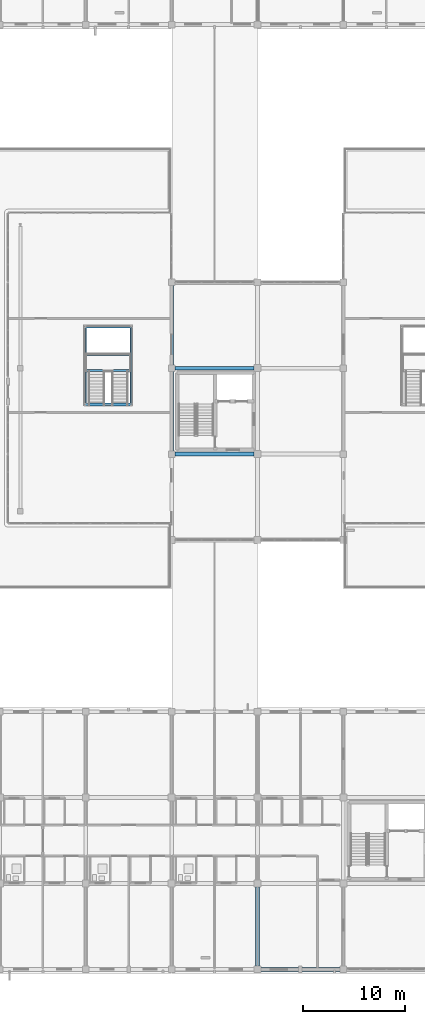
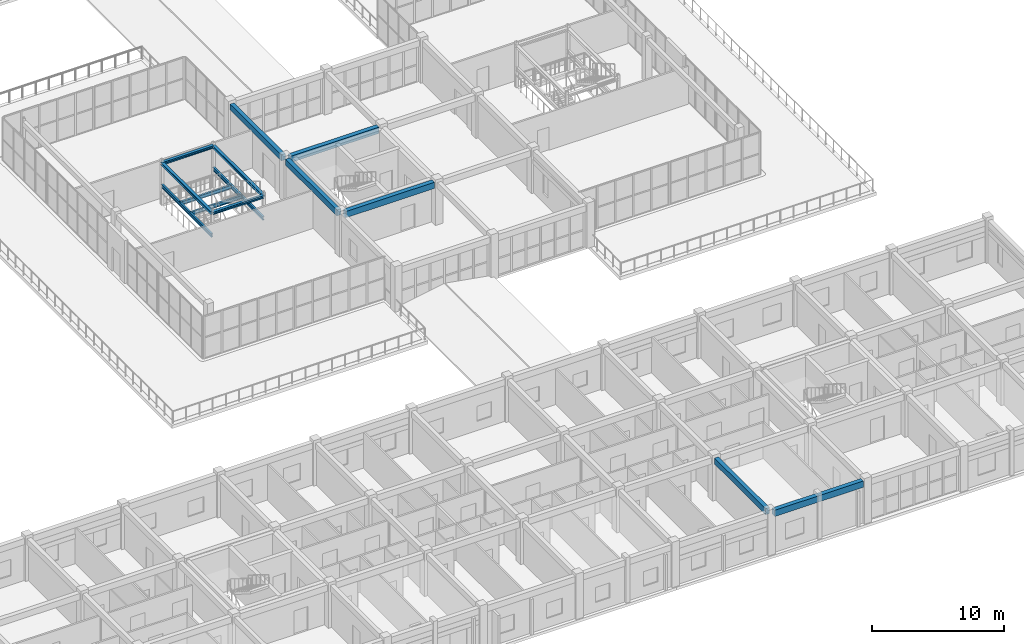
# One storey, part 20 of 90: 14 beams.
"""IFC4 building model written with IfcOpenShell, lengths in metres."""

import ifcopenshell
import ifcopenshell.guid

model = None  # the IFC model being written
_history = None  # IfcOwnerHistory: only IFC2X3 demands one
_inside = {}  # id of a spatial element -> (the spatial element, [elements in it])
_under = {}  # id of a project, library or spatial element -> (it, [spatial elements below it])
_declared = {}  # id of a project -> (the project, [libraries it declares])
_typed = {}  # id of a type object -> (the type object, [elements of that type])
_made_of = {}  # id of a material, layer set ... -> (it, [elements and type objects made of it])


def new_model(schema):
    """Start an empty IFC model of exactly this schema.

    Asked for "IFC4X3", IfcOpenShell would pick the latest addendum, in which some entities
    have other attributes; the version numbers below select the first issue.
    IFC2X3 requires an IfcOwnerHistory on every rooted entity: one is made here for all.
    """
    global model, _history
    if schema == "IFC4X3":
        model = ifcopenshell.file(schema_version=(4, 3, 0, 0))
    else:
        model = ifcopenshell.file(schema=schema)
    _inside.clear()
    _under.clear()
    _declared.clear()
    _typed.clear()
    _made_of.clear()
    _history = None
    if model.schema == "IFC2X3":
        org = make("IfcOrganization", Name="unknown")
        user = make(
            "IfcPersonAndOrganization",
            ThePerson=make("IfcPerson", FamilyName="unknown"),
            TheOrganization=org,
        )
        app = make(
            "IfcApplication",
            ApplicationDeveloper=org,
            Version="unknown",
            ApplicationFullName="unknown",
            ApplicationIdentifier="unknown",
        )
        _history = make(
            "IfcOwnerHistory",
            OwningUser=user,
            OwningApplication=app,
            ChangeAction="ADDED",
            CreationDate=0,
        )
    return model


def make(cls, **values):
    """One entity of the class cls with the attributes given. An attribute that is None is left unset."""
    return model.create_entity(
        cls, **{name: value for name, value in values.items() if value is not None}
    )


def rooted(cls, **values):
    """An entity with a GlobalId (a new one), such as an element, a storey or a relation."""
    return make(cls, GlobalId=ifcopenshell.guid.new(), OwnerHistory=_history, **values)


def si_unit(unit_type, name, prefix=None):
    """IfcSIUnit, for example si_unit("LENGTHUNIT", "METRE", prefix="MILLI")."""
    return make("IfcSIUnit", UnitType=unit_type, Prefix=prefix, Name=name)


def assignment(units):
    """IfcUnitAssignment: the units of a project."""
    return None if units is None else make("IfcUnitAssignment", Units=units)


def point(xyz):
    """IfcCartesianPoint."""
    return None if xyz is None else make("IfcCartesianPoint", Coordinates=xyz)


def direction(xyz):
    """IfcDirection."""
    return None if xyz is None else make("IfcDirection", DirectionRatios=xyz)


def frame(location, z_axis=None, x_axis=None):
    """IfcAxis2Placement3D, a coordinate frame: its origin and axes. An axis left out is left unset."""
    return make(
        "IfcAxis2Placement3D",
        Location=point(location),
        Axis=direction(z_axis),
        RefDirection=direction(x_axis),
    )


def frame_2d(location, x_axis=None):
    """IfcAxis2Placement2D, a coordinate frame in the plane: its origin and x axis."""
    return make(
        "IfcAxis2Placement2D", Location=point(location), RefDirection=direction(x_axis)
    )


def origin():
    """The frame at (0, 0, 0) with its axes left unset."""
    return frame((0.0, 0.0, 0.0))


def origin_2d():
    """The frame at (0, 0) in the plane with its x axis left unset."""
    return frame_2d((0.0, 0.0))


def place(relative_to, where):
    """IfcLocalPlacement: puts the frame where relative to a parent placement (None: the world)."""
    return make(
        "IfcLocalPlacement", PlacementRelTo=relative_to, RelativePlacement=where
    )


def context(
    kind, dimensions, precision=None, world=None, true_north=None, identifier=None
):
    """IfcGeometricRepresentationContext, for example the 3D "Model" context."""
    return make(
        "IfcGeometricRepresentationContext",
        ContextIdentifier=identifier,
        ContextType=kind,
        CoordinateSpaceDimension=dimensions,
        Precision=precision,
        WorldCoordinateSystem=world,
        TrueNorth=true_north,
    )


def subcontext(parent, identifier, kind, view, scale=None):
    """IfcGeometricRepresentationSubContext, for example "Body" below "Model"."""
    return make(
        "IfcGeometricRepresentationSubContext",
        ContextIdentifier=identifier,
        ContextType=kind,
        ParentContext=parent,
        TargetScale=scale,
        TargetView=view,
    )


def project(units=None, contexts=None):
    """IfcProject with its units and contexts."""
    return rooted(
        "IfcProject",
        Name="project",
        RepresentationContexts=contexts,
        UnitsInContext=assignment(units),
    )


def spatial(cls, under=None, at=None, **own):
    """A site, building, storey or space (cls), placed at a placement, below another one or the project."""
    s = rooted(cls, ObjectPlacement=at, **own)
    if under is not None:
        _under.setdefault(under.id(), (under, []))[1].append(s)
    return s


def profile(cls, at=None, kind="AREA", **sizes):
    """A parametric profile (cls). Its sizes go by their IFC names, for example OverallWidth=200.0."""
    return make(cls, ProfileType=kind, Position=at, **sizes)


def rectangle(**sizes):
    """IfcRectangleProfileDef."""
    return profile("IfcRectangleProfileDef", **sizes)


def i_section(**sizes):
    """IfcIShapeProfileDef."""
    return profile("IfcIShapeProfileDef", **sizes)


def extrude(swept, where, along, depth):
    """IfcExtrudedAreaSolid: the profile swept, set in the frame where, extruded along a direction by depth."""
    return make(
        "IfcExtrudedAreaSolid",
        SweptArea=swept,
        Position=where,
        ExtrudedDirection=direction(along),
        Depth=depth,
    )


def shape(context_of_items, identifier, shape_type, items):
    """IfcShapeRepresentation: the items that make up one representation, for example the "Body"."""
    return make(
        "IfcShapeRepresentation",
        ContextOfItems=context_of_items,
        RepresentationIdentifier=identifier,
        RepresentationType=shape_type,
        Items=items,
    )


def material(Name=None, Category=None):
    """IfcMaterial."""
    return make("IfcMaterial", Name=Name, Category=Category)


def material_profile(
    of_material, cross_section, Name=None, Category=None, Priority=None
):
    """IfcMaterialProfile: a cross section and its material."""
    return make(
        "IfcMaterialProfile",
        Name=Name,
        Material=of_material,
        Profile=cross_section,
        Priority=Priority,
        Category=Category,
    )


def profile_set(profiles, Name=None, composite=None):
    """IfcMaterialProfileSet."""
    return make(
        "IfcMaterialProfileSet",
        Name=Name,
        MaterialProfiles=profiles,
        CompositeProfile=composite,
    )


def made_of(thing, what):
    """Note that an element or type object is made of a material, layer set ...; save() writes the relation."""
    if what is not None:
        _made_of.setdefault(what.id(), (what, []))[1].append(thing)
    return thing


def type_object(cls, material=None, **own):
    """A type object (cls), such as IfcWallType, which elements share."""
    return made_of(rooted(cls, **own), material)


def element(
    cls,
    number,
    at=None,
    inside=None,
    cuts=None,
    type_object=None,
    material=None,
    context=None,
    identifier="Body",
    shape_type=None,
    held_by="IfcProductDefinitionShape",
    body=None,
    shapes=None,
    **own,
):
    """One element of the class cls, such as IfcWall. Its Tag is "e" and its number.

    at: its placement. inside: the storey or other place that contains it. cuts: it is an
    opening in that element (IfcRelVoidsElement). A single representation is given by context,
    identifier, shape_type and body (its items); several are given by shapes. held_by: the class
    of the entity that holds the representations. save() writes the other relations.
    """
    e = rooted(cls, Tag="e%d" % number, ObjectPlacement=at, **own)
    if body is not None:
        shapes = [shape(context, identifier, shape_type, body)]
    if shapes is not None:
        e.Representation = make(held_by, Representations=shapes)
    if inside is not None:
        _inside.setdefault(inside.id(), (inside, []))[1].append(e)
    if cuts is not None:
        rooted(
            "IfcRelVoidsElement", RelatingBuildingElement=cuts, RelatedOpeningElement=e
        )
    if type_object is not None:
        _typed.setdefault(type_object.id(), (type_object, []))[1].append(e)
    return made_of(e, material)


def aggregate(whole, parts):
    """IfcRelAggregates: a whole, such as a stair, and the parts it consists of."""
    return rooted("IfcRelAggregates", RelatingObject=whole, RelatedObjects=parts)


def save(model, path):
    """Write the relations noted so far, then the file.

    IfcRelAggregates (storeys below a building ...), IfcRelContainedInSpatialStructure (elements
    in a storey), IfcRelDefinesByType, IfcRelAssociatesMaterial and IfcRelDeclares: one each for
    every whole, place, type object, material and project.
    """
    for whole, parts in _under.values():
        aggregate(whole, parts)
    for where, things in _inside.values():
        rooted(
            "IfcRelContainedInSpatialStructure",
            RelatedElements=things,
            RelatingStructure=where,
        )
    for kind, things in _typed.values():
        rooted("IfcRelDefinesByType", RelatedObjects=things, RelatingType=kind)
    for what, things in _made_of.values():
        rooted("IfcRelAssociatesMaterial", RelatedObjects=things, RelatingMaterial=what)
    for by, libraries in _declared.values():
        rooted("IfcRelDeclares", RelatingContext=by, RelatedDefinitions=libraries)
    model.write(path)


model = new_model("IFC4")

# Units and contexts
model_context = context("Model", 3, precision=1e-05, world=origin(), true_north=direction((0.0, 1.0)))
body_context = subcontext(model_context, "Body", "Model", "MODEL_VIEW")
ifc_project = project(units=[si_unit("LENGTHUNIT", "METRE"), si_unit("AREAUNIT", "SQUARE_METRE"), si_unit("VOLUMEUNIT", "CUBIC_METRE"), si_unit("PLANEANGLEUNIT", "RADIAN"), si_unit("MASSUNIT", "GRAM", prefix="KILO")], contexts=[model_context])

# Site, building, storey
site_placement = place(None, origin())
site = spatial("IfcSite", under=ifc_project, at=site_placement, CompositionType="ELEMENT")
building_placement = place(site_placement, origin())
building = spatial("IfcBuilding", under=site, at=building_placement, Name="Trelvath General Hospital", CompositionType="ELEMENT")
storey_placement = place(building_placement, frame((0.0, 0.0, 20.39990234375)))
storey = spatial("IfcBuildingStorey", under=building, at=storey_placement, Name="L05", CompositionType="ELEMENT", Elevation=20.39990234375)

# Beams
ifc_material_1 = material(Name="Concrete C35/45", Category="concrete")
ifc_material_profile_1 = material_profile(ifc_material_1, rectangle(XDim=0.35009765625, YDim=0.550048828125, at=origin_2d()), Name="RCB350x550")
ifc_profile_set_1 = profile_set([ifc_material_profile_1], Name="Concrete C35/45")
beam_type_1 = type_object("IfcBeamType", Name="Beam RC350x550", PredefinedType="BEAM", material=ifc_profile_set_1)
beam_1_placement = place(storey_placement, frame((75.60009765625, 50.719970703125, 3.64501953125), z_axis=(0.0, 1.0, 0.0), x_axis=(-1.0, 0.0, 0.0)))
element("IfcBeam", 1, at=beam_1_placement, inside=storey, type_object=beam_type_1, Name="Grid Beam BY-509G", PredefinedType="BEAM", context=body_context, shape_type="SweptSolid", body=[
    extrude(rectangle(XDim=0.35009765625, YDim=0.550048828125, at=origin_2d()), origin(), (0.0, 0.0, 1.0), 7.760009765625),
])
beam_2_placement = place(storey_placement, frame((75.60009765625, 59.1201171875, 3.64501953125), z_axis=(0.0, 1.0, 0.0), x_axis=(-1.0, 0.0, 0.0)))
element("IfcBeam", 2, at=beam_2_placement, inside=storey, type_object=beam_type_1, Name="Grid Beam BY-509H", PredefinedType="BEAM", context=body_context, shape_type="SweptSolid", body=[
    extrude(rectangle(XDim=0.35009765625, YDim=0.550048828125, at=origin_2d()), origin(), (0.0, 0.0, 1.0), 7.759765625),
])
beam_3_placement = place(storey_placement, frame((84.0, 0.320068359375, 3.64501953125), z_axis=(0.0, 1.0, 0.0), x_axis=(-1.0, 0.0, 0.0)))
element("IfcBeam", 3, at=beam_3_placement, inside=storey, type_object=beam_type_1, Name="Grid Beam BY-510A", PredefinedType="BEAM", context=body_context, shape_type="SweptSolid", body=[
    extrude(rectangle(XDim=0.35009765625, YDim=0.550048828125, at=origin_2d()), origin(), (0.0, 0.0, 1.0), 7.744873046875),
])
ifc_material_2 = material(Name="Concrete C35/45", Category="concrete")
ifc_material_profile_2 = material_profile(ifc_material_2, rectangle(XDim=0.3798828125, YDim=0.580078125, at=origin_2d()), Name="RCB380x580")
ifc_profile_set_2 = profile_set([ifc_material_profile_2], Name="Concrete C35/45")
beam_type_2 = type_object("IfcBeamType", Name="Beam RC380x580", PredefinedType="BEAM", material=ifc_profile_set_2)
for number, where, z_axis, x_axis, name in (
    (4, (75.919921875, 50.39990234375, 3.630126953125), (1.0, 0.0, 0.0), (0.0, 1.0, 0.0), "Grid Beam BX-509G"),
    (5, (75.919921875, 58.800048828125, 3.630126953125), (1.0, 0.0, 0.0), (0.0, 1.0, 0.0), "Grid Beam BX-509H"),
):
    element("IfcBeam", number, at=place(storey_placement, frame(where, z_axis=z_axis, x_axis=x_axis)), inside=storey, type_object=beam_type_2, Name=name, PredefinedType="BEAM", context=body_context, shape_type="SweptSolid", body=[
        extrude(rectangle(XDim=0.3798828125, YDim=0.580078125, at=origin_2d()), origin(), (0.0, 0.0, 1.0), 7.7451171875),
    ])
beam_4_placement = place(storey_placement, frame((84.320068359375, 0.0, 3.630126953125), z_axis=(1.0, 0.0, 0.0), x_axis=(0.0, 1.0, 0.0)))
element("IfcBeam", 6, at=beam_4_placement, inside=storey, type_object=beam_type_2, Name="Grid Beam BX-510A", PredefinedType="BEAM", context=body_context, shape_type="SweptSolid", body=[
    extrude(rectangle(XDim=0.3798828125, YDim=0.580078125, at=origin_2d()), origin(), (0.0, 0.0, 1.0), 7.760009765625),
])
ifc_material_3 = material(Name="Steel S355", Category="steel")
ifc_material_profile_3 = material_profile(ifc_material_3, i_section(OverallWidth=0.260009765625, OverallDepth=0.25, WebThickness=0.007568359375, FlangeThickness=0.012451171875, at=origin_2d()), Name="HEA260")
ifc_profile_set_3 = profile_set([ifc_material_profile_3], Name="Steel S355")
beam_type_3 = type_object("IfcBeamType", Name="RingBeam HEA260", PredefinedType="BEAM", material=ifc_profile_set_3)
for number, where, z_axis, x_axis, name in (
    (7, (67.14990234375, 55.25, 3.815185546875), (1.0, 0.0, 0.0), (0.0, 1.0, 0.0), "Atrium Ring Beam CUBE-W S L05"),
    (8, (67.14990234375, 62.85009765625, 3.815185546875), (1.0, 0.0, 0.0), (0.0, 1.0, 0.0), "Atrium Ring Beam CUBE-W N L05"),
):
    element("IfcBeam", number, at=place(storey_placement, frame(where, z_axis=z_axis, x_axis=x_axis)), inside=storey, type_object=beam_type_3, Name=name, PredefinedType="BEAM", context=body_context, shape_type="SweptSolid", body=[
        extrude(i_section(OverallWidth=0.260009765625, OverallDepth=0.25, WebThickness=0.007568359375, FlangeThickness=0.012451171875, at=origin_2d()), origin(), (0.0, 0.0, 1.0), 4.5),
    ])
for number, where, z_axis, x_axis, name in (
    (9, (67.14990234375, 55.25, 3.815185546875), (0.0, 1.0, 0.0), (-1.0, 0.0, 0.0), "Atrium Ring Beam CUBE-W W L05"),
    (10, (71.64990234375, 55.25, 3.815185546875), (0.0, 1.0, 0.0), (-1.0, 0.0, 0.0), "Atrium Ring Beam CUBE-W E L05"),
):
    element("IfcBeam", number, at=place(storey_placement, frame(where, z_axis=z_axis, x_axis=x_axis)), inside=storey, type_object=beam_type_3, Name=name, PredefinedType="BEAM", context=body_context, shape_type="SweptSolid", body=[
        extrude(i_section(OverallWidth=0.260009765625, OverallDepth=0.25, WebThickness=0.007568359375, FlangeThickness=0.012451171875, at=origin_2d()), origin(), (0.0, 0.0, 1.0), 7.60009765625),
    ])
ifc_material_4 = material(Name="Steel S355", Category="steel")
ifc_material_profile_4 = material_profile(ifc_material_4, i_section(OverallWidth=0.159912109375, OverallDepth=0.330078125, WebThickness=0.007568359375, FlangeThickness=0.011474609375, at=origin_2d()), Name="IPE330")
ifc_profile_set_4 = profile_set([ifc_material_profile_4], Name="Steel S355")
beam_type_4 = type_object("IfcBeamType", Name="StairLandingBeam IPE330", PredefinedType="BEAM", material=ifc_profile_set_4)
for number, where, z_axis, x_axis, name in (
    (11, (67.14990234375, 55.25, 1.735107421875), (0.0, 1.0, 0.0), (-1.0, 0.0, 0.0), "Cube Stair Stringer Beam CUBE-W W L05"),
    (12, (71.64990234375, 55.25, 1.735107421875), (0.0, 1.0, 0.0), (-1.0, 0.0, 0.0), "Cube Stair Stringer Beam CUBE-W E L05"),
):
    element("IfcBeam", number, at=place(storey_placement, frame(where, z_axis=z_axis, x_axis=x_axis)), inside=storey, type_object=beam_type_4, Name=name, PredefinedType="BEAM", context=body_context, shape_type="SweptSolid", body=[
        extrude(i_section(OverallWidth=0.159912109375, OverallDepth=0.330078125, WebThickness=0.007568359375, FlangeThickness=0.011474609375, at=origin_2d()), origin(), (0.0, 0.0, 1.0), 7.60009765625),
    ])
for number, where, z_axis, x_axis, name in (
    (13, (67.14990234375, 58.570068359375, 1.735107421875), (1.0, 0.0, 0.0), (0.0, 1.0, 0.0), "Cube Landing Cross Beam CUBE-W S L05"),
    (14, (67.14990234375, 60.1201171875, 1.735107421875), (1.0, 0.0, 0.0), (0.0, 1.0, 0.0), "Cube Landing Cross Beam CUBE-W N L05"),
):
    element("IfcBeam", number, at=place(storey_placement, frame(where, z_axis=z_axis, x_axis=x_axis)), inside=storey, type_object=beam_type_4, Name=name, PredefinedType="BEAM", context=body_context, shape_type="SweptSolid", body=[
        extrude(i_section(OverallWidth=0.159912109375, OverallDepth=0.330078125, WebThickness=0.007568359375, FlangeThickness=0.011474609375, at=origin_2d()), origin(), (0.0, 0.0, 1.0), 4.5),
    ])

save(model, "model.ifc")
